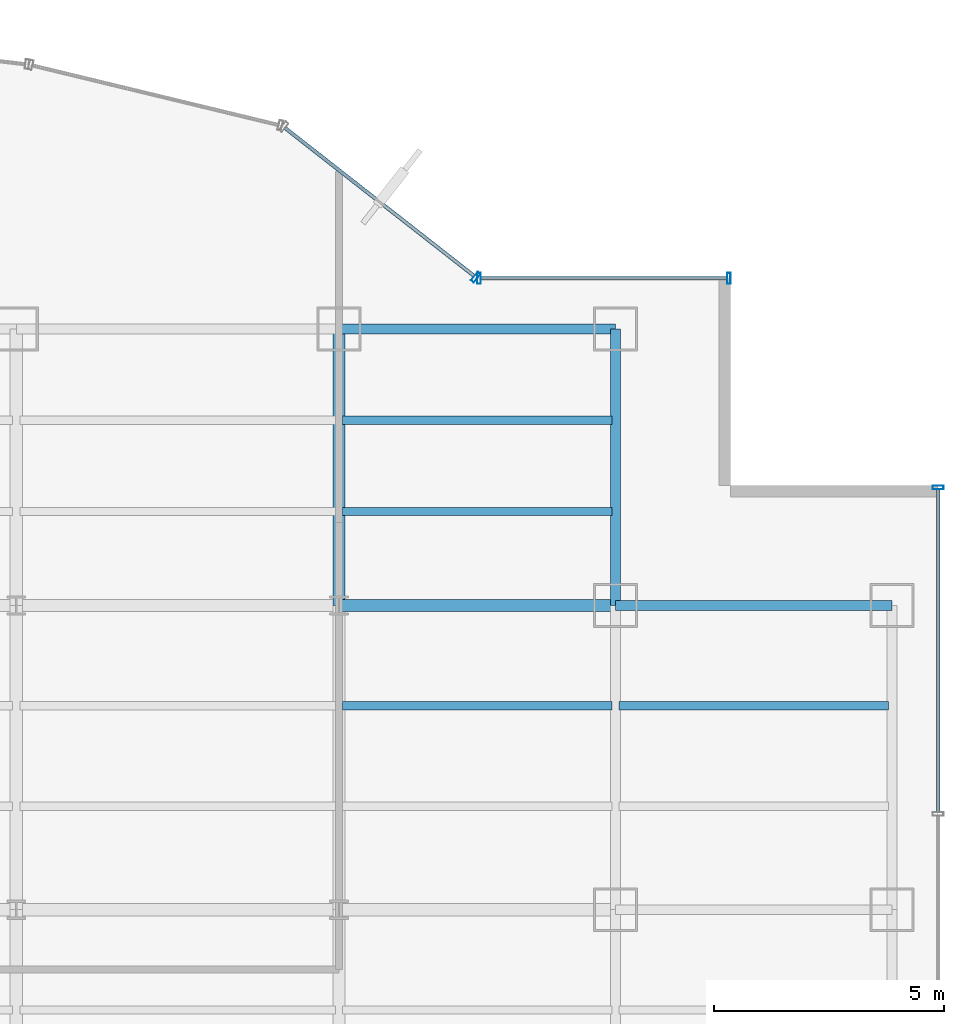
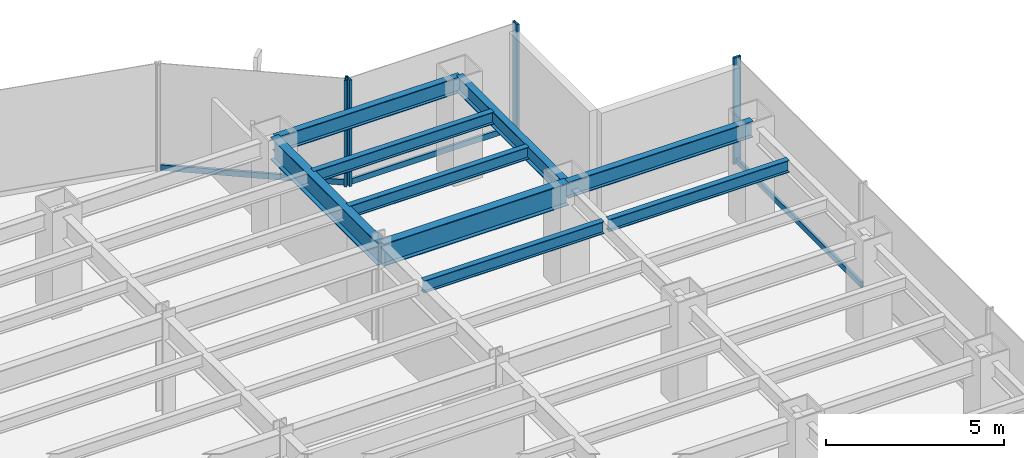
# One storey, part 16 of 23: 9 beams, 7 members, 3 elements without a shape of their own.
"""IFC4 building model written with IfcOpenShell, lengths in metres."""

from ifc_helpers import new_model, si_unit, derived_unit, direction, frame, origin, origin_2d, place, context, subcontext, project, spatial, hollow_rectangle, i_section, extrude, source, transform, mapped, material, material_profile, profile_set, type_object, element, aggregate, save


model = new_model("IFC4")

# Units and contexts
model_context = context("Model", 3, precision=1e-05, world=origin(), true_north=direction((0.0, 1.0)))
body_context = subcontext(model_context, "Body", "Model", "MODEL_VIEW")
ifc_project = project(units=[si_unit("LENGTHUNIT", "METRE"), si_unit("AREAUNIT", "SQUARE_METRE"), si_unit("VOLUMEUNIT", "CUBIC_METRE"), si_unit("PLANEANGLEUNIT", "RADIAN"), si_unit("MASSUNIT", "GRAM", prefix="KILO"), derived_unit("THERMALTRANSMITTANCEUNIT", [(si_unit("POWERUNIT", "WATT"), 1), (si_unit("LENGTHUNIT", "METRE"), -2), (si_unit("THERMODYNAMICTEMPERATUREUNIT", "KELVIN"), -1)])], contexts=[model_context])

# Site, building, storey
site_placement = place(None, origin())
site = spatial("IfcSite", under=ifc_project, at=site_placement, CompositionType="ELEMENT")
building_placement = place(site_placement, origin())
building = spatial("IfcBuilding", under=site, at=building_placement, Name="Skarnbrae Concourse Arena and Tower", CompositionType="ELEMENT")
storey_placement = place(building_placement, frame((0.0, 0.0, 43.449951171875)))
storey = spatial("IfcBuildingStorey", under=building, at=storey_placement, Name="L09", CompositionType="ELEMENT", Elevation=43.449951171875)

# Beams
ifc_material_1 = material(Name="Steel CSA G40.21 350W", Category="steel")
ifc_material_profile_1 = material_profile(ifc_material_1, i_section(OverallWidth=0.214111328125, OverallDepth=0.549072265625, WebThickness=0.0146484375, FlangeThickness=0.023681640625, at=origin_2d()), Name="W530X138")
ifc_profile_set_1 = profile_set([ifc_material_profile_1], Name="Steel CSA G40.21 350W")
beam_type_1 = type_object("IfcBeamType", Name="BM-SPAN-W530X138", PredefinedType="SPANDREL", material=ifc_profile_set_1)
shared_shape_1 = source(origin(), body_context, "Body", "SweptSolid", [
    extrude(i_section(OverallWidth=0.214111328125, OverallDepth=0.549072265625, WebThickness=0.0146484375, FlangeThickness=0.023681640625, at=origin_2d()), origin(), (0.0, 0.0, 1.0), 6.0),
])
for number, where, z_axis, x_axis, name in (
    (1, (55.0, 34.39990234375, 3.12548828125), (1.0, 0.0, 0.0), (0.0, 1.0, 0.0), "L09 Perimeter spandrel Y34.4-9"),
    (2, (49.0, 40.39990234375, 3.12548828125), (1.0, 0.0, 0.0), (0.0, 1.0, 0.0), "L09 Perimeter spandrel Y40.4-7"),
    (3, (55.0, 34.39990234375, 3.12548828125), (0.0, 1.0, 0.0), (-1.0, 0.0, 0.0), "L09 Perimeter spandrel X55.0-5"),
):
    element("IfcBeam", number, at=place(storey_placement, frame(where, z_axis=z_axis, x_axis=x_axis)), inside=storey, type_object=beam_type_1, Name=name, PredefinedType="SPANDREL", context=body_context, shape_type="MappedRepresentation", body=[
        mapped(shared_shape_1, transform((0.0, 0.0, 0.0))),
    ])
ifc_material_profile_2 = material_profile(ifc_material_1, i_section(OverallWidth=0.26806640625, OverallDepth=0.77001953125, WebThickness=0.015625, FlangeThickness=0.025390625, at=origin_2d()), Name="W760X196")
ifc_profile_set_2 = profile_set([ifc_material_profile_2], Name="Steel CSA G40.21 350W")
beam_type_2 = type_object("IfcBeamType", Name="BM-GIRD-W760X196", PredefinedType="BEAM", material=ifc_profile_set_2)
shared_shape_2 = source(origin(), body_context, "Body", "SweptSolid", [
    extrude(i_section(OverallWidth=0.26806640625, OverallDepth=0.77001953125, WebThickness=0.015625, FlangeThickness=0.025390625, at=origin_2d()), origin(), (0.0, 0.0, 1.0), 6.0),
])
for number, where, z_axis, x_axis, name in (
    (4, (49.0, 34.39990234375, 3.01513671875), (1.0, 0.0, 0.0), (0.0, 1.0, 0.0), "L09 Primary E-W girder Y34.4-8"),
    (5, (49.0, 34.39990234375, 3.01513671875), (0.0, 1.0, 0.0), (-1.0, 0.0, 0.0), "L09 Primary N-S girder X49.0-5"),
):
    element("IfcBeam", number, at=place(storey_placement, frame(where, z_axis=z_axis, x_axis=x_axis)), inside=storey, type_object=beam_type_2, Name=name, PredefinedType="BEAM", context=body_context, shape_type="MappedRepresentation", body=[
        mapped(shared_shape_2, transform((0.0, 0.0, 0.0))),
    ])
ifc_material_profile_3 = material_profile(ifc_material_1, i_section(OverallWidth=0.180908203125, OverallDepth=0.4169921875, WebThickness=0.010986328125, FlangeThickness=0.018310546875, at=origin_2d()), Name="W410X85")
ifc_profile_set_3 = profile_set([ifc_material_profile_3], Name="Steel CSA G40.21 350W")
beam_type_3 = type_object("IfcBeamType", Name="BM-JOIST-W410X85", PredefinedType="JOIST", material=ifc_profile_set_3)
shared_shape_3 = source(origin(), body_context, "Body", "SweptSolid", [
    extrude(i_section(OverallWidth=0.180908203125, OverallDepth=0.4169921875, WebThickness=0.010986328125, FlangeThickness=0.018310546875, at=origin_2d()), origin(), (0.0, 0.0, 1.0), 5.83984375),
])
for number, where, z_axis, x_axis, name in (
    (6, (49.080078125, 32.221923828125, 3.191650390625), (1.0, 0.0, 0.0), (0.0, 1.0, 0.0), "L09 Secondary floor joist 3.2.8"),
    (7, (55.080078125, 32.221923828125, 3.191650390625), (1.0, 0.0, 0.0), (0.0, 1.0, 0.0), "L09 Secondary floor joist 3.2.9"),
    (8, (49.080078125, 36.43994140625, 3.191650390625), (1.0, 0.0, 0.0), (0.0, 1.0, 0.0), "L09 Secondary floor joist 4.1.7"),
    (9, (49.080078125, 38.419921875, 3.191650390625), (1.0, 0.0, 0.0), (0.0, 1.0, 0.0), "L09 Secondary floor joist 4.2.7"),
):
    element("IfcBeam", number, at=place(storey_placement, frame(where, z_axis=z_axis, x_axis=x_axis)), inside=storey, type_object=beam_type_3, Name=name, PredefinedType="JOIST", context=body_context, shape_type="MappedRepresentation", body=[
        mapped(shared_shape_3, transform((0.0, 0.0, 0.0))),
    ])

# Curtain wall, member
ifc_material_2 = material(Name="Bronze anodised aluminium 6063-T6", Category="aluminium")
curtain_wall_type = type_object("IfcCurtainWallType", Name="CW-SYS-02-LOWZONE", PredefinedType="USERDEFINED", material=ifc_material_2)
curtain_wall_1_placement = place(storey_placement, origin())
curtain_wall_1 = element("IfcCurtainWall", 10, at=curtain_wall_1_placement, inside=storey, type_object=curtain_wall_type, Name="L09 Unitised curtain wall CW-L09-E04", ObjectType="UNITISED CURTAIN WALL", PredefinedType="USERDEFINED")
ifc_material_profile_4 = material_profile(ifc_material_2, hollow_rectangle(XDim=0.080078125, YDim=0.18994140625, WallThickness=0.0048828125, at=origin_2d()), Name="ALU-TRAN-80X190")
ifc_profile_set_4 = profile_set([ifc_material_profile_4], Name="Bronze anodised aluminium 6063-T6")
member_type_1 = type_object("IfcMemberType", Name="CWT-CW-02", PredefinedType="USERDEFINED", material=ifc_profile_set_4)
shared_shape_4 = source(origin(), body_context, "Body", "SweptSolid", [
    extrude(hollow_rectangle(XDim=0.080078125, YDim=0.18994140625, WallThickness=0.0048828125, at=origin_2d()), origin(), (0.0, 0.0, 1.0), 7.0048828125),
])
member_1_placement = place(storey_placement, frame((62.0, 29.9150390625, 0.094970703125), z_axis=(0.0, 1.0, 0.0), x_axis=(-1.0, 0.0, 0.0)))
member_1 = element("IfcMember", 11, at=member_1_placement, type_object=member_type_1, Name="CW-L09-E04 Transom 4", ObjectType="TRANSOM", PredefinedType="USERDEFINED", context=body_context, shape_type="MappedRepresentation", body=[
    mapped(shared_shape_4, transform((0.0, 0.0, 0.0))),
])

curtain_wall_2_placement = place(storey_placement, origin())
curtain_wall_2 = element("IfcCurtainWall", 12, at=curtain_wall_2_placement, inside=storey, type_object=curtain_wall_type, Name="L09 Unitised curtain wall CW-L09-E07", ObjectType="UNITISED CURTAIN WALL", PredefinedType="USERDEFINED")
shared_shape_5 = source(origin(), body_context, "Body", "SweptSolid", [
    extrude(hollow_rectangle(XDim=0.080078125, YDim=0.18994140625, WallThickness=0.0048828125, at=origin_2d()), origin(), (0.0, 0.0, 1.0), 5.33984375),
])
member_2_placement = place(storey_placement, frame((57.419921875, 41.5, 0.094970703125), z_axis=(-1.0, 0.0, 0.0), x_axis=(0.0, -1.0, 0.0)))
member_2 = element("IfcMember", 13, at=member_2_placement, type_object=member_type_1, Name="CW-L09-E07 Transom 1", ObjectType="TRANSOM", PredefinedType="USERDEFINED", context=body_context, shape_type="MappedRepresentation", body=[
    mapped(shared_shape_5, transform((0.0, 0.0, 0.0))),
])

curtain_wall_3_placement = place(storey_placement, origin())
curtain_wall_3 = element("IfcCurtainWall", 14, at=curtain_wall_3_placement, inside=storey, type_object=curtain_wall_type, Name="L09 Unitised curtain wall CW-L09-E08", ObjectType="UNITISED CURTAIN WALL", PredefinedType="USERDEFINED")
shared_shape_6 = source(origin(), body_context, "Body", "SweptSolid", [
    extrude(hollow_rectangle(XDim=0.080078125, YDim=0.18994140625, WallThickness=0.0048828125, at=origin_2d()), origin(), (0.0, 0.0, 1.0), 5.215087890625),
])
member_3_placement = place(storey_placement, frame((51.93701171875, 41.54931640625, 0.094970703125), z_axis=(-0.787650196702, 0.616122688784, 0.0), x_axis=(-0.616122688784, -0.787650196702, 0.0)))
member_3 = element("IfcMember", 15, at=member_3_placement, type_object=member_type_1, Name="CW-L09-E08 Transom 1", ObjectType="TRANSOM", PredefinedType="USERDEFINED", context=body_context, shape_type="MappedRepresentation", body=[
    mapped(shared_shape_6, transform((0.0, 0.0, 0.0))),
])

# Member
ifc_material_profile_5 = material_profile(ifc_material_2, hollow_rectangle(XDim=0.080078125, YDim=0.239990234375, WallThickness=0.0048828125, at=origin_2d()), Name="ALU-MULL-80X240")
ifc_profile_set_5 = profile_set([ifc_material_profile_5], Name="Bronze anodised aluminium 6063-T6")
member_type_2 = type_object("IfcMemberType", Name="CWM-CW-02", PredefinedType="MULLION", material=ifc_profile_set_5)
shared_shape_7 = source(origin(), body_context, "Body", "SweptSolid", [
    extrude(hollow_rectangle(XDim=0.080078125, YDim=0.239990234375, WallThickness=0.0048828125, at=origin_2d()), origin(), (0.0, 0.0, 1.0), 3.650146484375),
])
member_4_placement = place(storey_placement, frame((62.0, 36.9599609375, 0.0), z_axis=(0.0, 0.0, 1.0), x_axis=(0.0, 1.0, 0.0)))
member_4 = element("IfcMember", 16, at=member_4_placement, type_object=member_type_2, Name="CW-L09-E04 Mullion 5", PredefinedType="MULLION", context=body_context, shape_type="MappedRepresentation", body=[
    mapped(shared_shape_7, transform((0.0, 0.0, 0.0))),
])

aggregate(curtain_wall_1, [member_4, member_1])

member_5_placement = place(storey_placement, frame((57.4599609375, 41.5, 0.0), z_axis=(0.0, 0.0, 1.0), x_axis=(-1.0, 0.0, 0.0)))
member_5 = element("IfcMember", 17, at=member_5_placement, type_object=member_type_2, Name="CW-L09-E07 Mullion 1", PredefinedType="MULLION", context=body_context, shape_type="MappedRepresentation", body=[
    mapped(shared_shape_7, transform((0.0, 0.0, 0.0))),
])

member_6_placement = place(storey_placement, frame((52.0400390625, 41.5, 0.0), z_axis=(0.0, 0.0, 1.0), x_axis=(-1.0, 0.0, 0.0)))
member_6 = element("IfcMember", 18, at=member_6_placement, type_object=member_type_2, Name="CW-L09-E07 Mullion 2", PredefinedType="MULLION", context=body_context, shape_type="MappedRepresentation", body=[
    mapped(shared_shape_7, transform((0.0, 0.0, 0.0))),
])

aggregate(curtain_wall_2, [member_5, member_6, member_2])

member_7_placement = place(storey_placement, frame((51.968505859375, 41.524658203125, 0.0), z_axis=(0.0, 0.0, 1.0), x_axis=(-0.787651726054, 0.616120733658, 0.0)))
member_7 = element("IfcMember", 19, at=member_7_placement, type_object=member_type_2, Name="CW-L09-E08 Mullion 1", PredefinedType="MULLION", context=body_context, shape_type="MappedRepresentation", body=[
    mapped(shared_shape_7, transform((0.0, 0.0, 0.0))),
])

aggregate(curtain_wall_3, [member_7, member_3])

save(model, "model.ifc")
